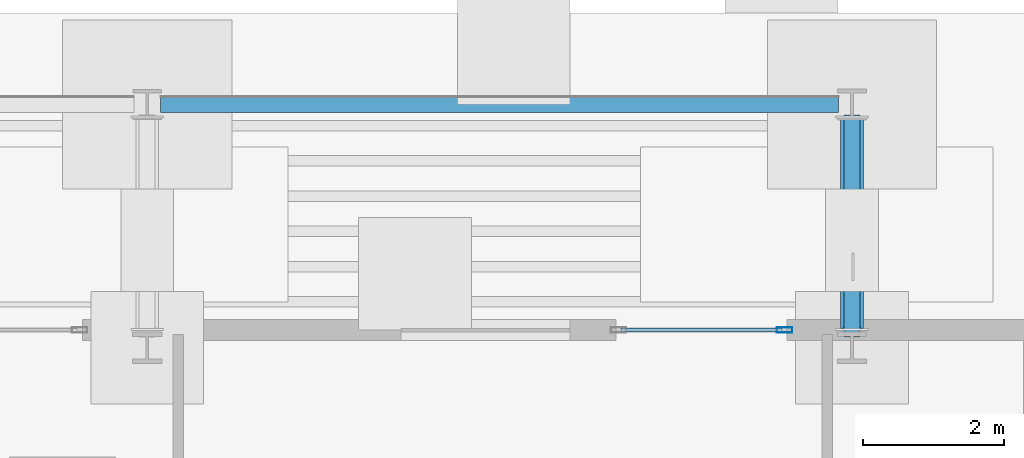
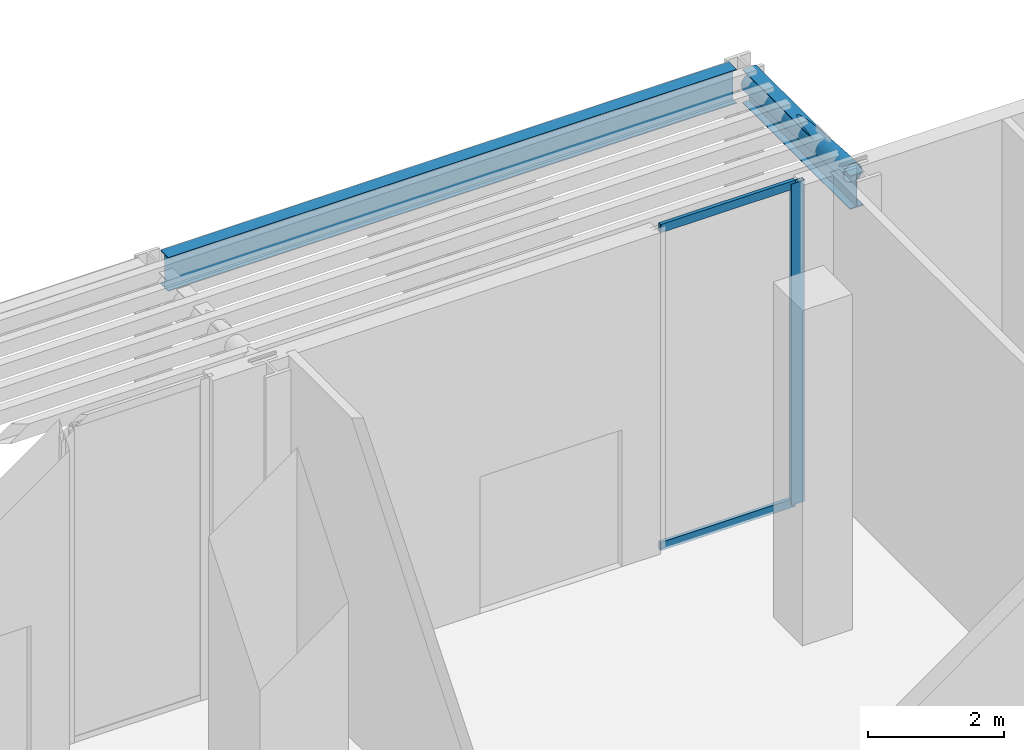
# One storey, part 21 of 39: 4 members, 2 beams, 1 element without a shape of its own.
"""IFC4 building model written with IfcOpenShell, lengths in metres."""

from ifc_helpers import new_model, si_unit, direction, frame, origin, origin_2d, place, context, subcontext, project, spatial, hollow_rectangle, hollow_circle, i_section, extrude, material, layer, layer_set, material_profile, profile_set, type_object, element, aggregate, save


model = new_model("IFC4")

# Units and contexts
model_context = context("Model", 3, precision=1e-05, world=origin(), true_north=direction((0.0, 1.0)))
body_context = subcontext(model_context, "Body", "Model", "MODEL_VIEW")
ifc_project = project(units=[si_unit("LENGTHUNIT", "METRE"), si_unit("AREAUNIT", "SQUARE_METRE"), si_unit("VOLUMEUNIT", "CUBIC_METRE"), si_unit("PLANEANGLEUNIT", "RADIAN"), si_unit("MASSUNIT", "GRAM", prefix="KILO")], contexts=[model_context])

# Site, building, storey
site_placement = place(None, origin())
site = spatial("IfcSite", under=ifc_project, at=site_placement, CompositionType="ELEMENT")
building_placement = place(site_placement, origin())
building = spatial("IfcBuilding", under=site, at=building_placement, Name="Zuhayl Quay Hotel", CompositionType="ELEMENT")
storey_placement = place(building_placement, origin())
storey = spatial("IfcBuildingStorey", under=building, at=storey_placement, Name="L00", CompositionType="ELEMENT", Elevation=0.0)

# Beams
ifc_material_1 = material(Name="Steel ASTM A992 Grade 50", Category="steel")
ifc_material_profile_1 = material_profile(ifc_material_1, i_section(OverallWidth=0.22802734375, OverallDepth=0.60693359375, WebThickness=0.01123046875, FlangeThickness=0.017333984375, at=origin_2d()), Name="W24X76")
ifc_profile_set_1 = profile_set([ifc_material_profile_1], Name="Steel ASTM A992 Grade 50")
beam_type = type_object("IfcBeamType", Name="BM_B3_W24X76", PredefinedType="BEAM", material=ifc_profile_set_1)
beam_1_placement = place(storey_placement, frame((15.18994140625, 28.199951171875, 5.300048828125), z_axis=(1.0, 0.0, 0.0), x_axis=(0.0, 1.0, 0.0)))
element("IfcBeam", 1, at=beam_1_placement, inside=storey, type_object=beam_type, Name="Waterfront Colonnade Canopy Girder 5", PredefinedType="BEAM", context=body_context, shape_type="SweptSolid", body=[
    extrude(i_section(OverallWidth=0.22802734375, OverallDepth=0.60693359375, WebThickness=0.01123046875, FlangeThickness=0.017333984375, at=origin_2d()), origin(), (0.0, 0.0, 1.0), 9.6201171875),
])
beam_2_placement = place(storey_placement, frame((25.0, 24.89990234375, 5.300048828125), z_axis=(0.0, 1.0, 0.0), x_axis=(-1.0, 0.0, 0.0)))
element("IfcBeam", 2, at=beam_2_placement, inside=storey, type_object=beam_type, Name="Waterfront Canopy Cantilever Tie 6", PredefinedType="BEAM", context=body_context, shape_type="SweptSolid", body=[
    extrude(i_section(OverallWidth=0.22802734375, OverallDepth=0.60693359375, WebThickness=0.01123046875, FlangeThickness=0.017333984375, at=origin_2d()), origin(), (0.0, 0.0, 1.0), 3.150146484375),
])

# Member
ifc_material_2 = material(Name="Steel ASTM A500 Grade C", Category="steel")
ifc_material_profile_2 = material_profile(ifc_material_2, hollow_circle(Radius=0.161865234375, WallThickness=0.012451171875, at=origin_2d()), Name="CHS324X12")
ifc_profile_set_2 = profile_set([ifc_material_profile_2], Name="Steel ASTM A500 Grade C")
member_type_1 = type_object("IfcMemberType", Name="MB_CN_CHS324", PredefinedType="STRUT", material=ifc_profile_set_2)
member_1_placement = place(storey_placement, frame((25.0, 25.02001953125, 5.550048828125), z_axis=(0.0, 0.997771438089, -0.066724488266), x_axis=(-1.0, 0.0, 0.0)))
element("IfcMember", 3, at=member_1_placement, inside=storey, type_object=member_type_1, Name="Waterfront Canopy Diagonal Hanger Strut 6", PredefinedType="STRUT", context=body_context, shape_type="SweptSolid", body=[
    extrude(hollow_circle(Radius=0.161865234375, WallThickness=0.012451171875, at=origin_2d()), origin(), (0.0, 0.0, 1.0), 2.99658203125),
])

# Curtain wall, members
ifc_material_3 = material(Name="Anodised Aluminium 6063-T6", Category="aluminium")
ifc_layer = layer(ifc_material_3, 0.199951171875, Name="Anodised Aluminium 6063-T6", Category="aluminium")
ifc_layer_set = layer_set([ifc_layer], Name="Anodised Aluminium 6063-T6")
curtain_wall_type = type_object("IfcCurtainWallType", Name="CW_SYS_POD", PredefinedType="USERDEFINED", material=ifc_layer_set)
curtain_wall_placement = place(storey_placement, origin())
curtain_wall = element("IfcCurtainWall", 4, at=curtain_wall_placement, inside=storey, type_object=curtain_wall_type, Name="L00 Curtain Wall ENV_L00_E05_CW5", ObjectType="UNITISED CURTAIN WALL", PredefinedType="USERDEFINED")
ifc_material_4 = material(Name="Black-anodised aluminium 6063-T6", Category="aluminium")
ifc_material_profile_3 = material_profile(ifc_material_4, hollow_rectangle(XDim=0.074951171875, YDim=0.219970703125, WallThickness=0.00390625, at=origin_2d()), Name="ALU220X75")
ifc_profile_set_3 = profile_set([ifc_material_profile_3], Name="Black-anodised aluminium 6063-T6")
member_type_2 = type_object("IfcMemberType", Name="MB_CW_MUL_220", PredefinedType="MULLION", material=ifc_profile_set_3)
member_2_placement = place(storey_placement, frame((24.04248046875, 25.0, 0.0), z_axis=(0.0, 0.0, 1.0), x_axis=(0.0, 1.0, 0.0)))
member_2 = element("IfcMember", 5, at=member_2_placement, type_object=member_type_2, Name="CW-POD mullion 2", PredefinedType="MULLION", context=body_context, shape_type="SweptSolid", body=[
    extrude(hollow_rectangle(XDim=0.074951171875, YDim=0.219970703125, WallThickness=0.00390625, at=origin_2d()), origin(), (0.0, 0.0, 1.0), 5.75),
])
ifc_material_profile_4 = material_profile(ifc_material_4, hollow_rectangle(XDim=0.06005859375, YDim=0.14990234375, WallThickness=0.00341796875, at=origin_2d()), Name="ALU150X60")
ifc_profile_set_4 = profile_set([ifc_material_profile_4], Name="Black-anodised aluminium 6063-T6")
member_type_3 = type_object("IfcMemberType", Name="MB_CW_TRN_150", PredefinedType="USERDEFINED", material=ifc_profile_set_4)
member_3_placement = place(storey_placement, frame((21.72509765625, 25.0, 0.030029296875), z_axis=(1.0, 0.0, 0.0), x_axis=(0.0, 1.0, 0.0)))
member_3 = element("IfcMember", 6, at=member_3_placement, type_object=member_type_3, Name="CW-POD transom 1.1", ObjectType="TRANSOM", PredefinedType="USERDEFINED", context=body_context, shape_type="SweptSolid", body=[
    extrude(hollow_rectangle(XDim=0.06005859375, YDim=0.14990234375, WallThickness=0.00341796875, at=origin_2d()), origin(), (0.0, 0.0, 1.0), 2.27978515625),
])
member_4_placement = place(storey_placement, frame((21.72509765625, 25.0, 5.719970703125), z_axis=(1.0, 0.0, 0.0), x_axis=(0.0, 1.0, 0.0)))
member_4 = element("IfcMember", 7, at=member_4_placement, type_object=member_type_3, Name="CW-POD transom 1.2", ObjectType="TRANSOM", PredefinedType="USERDEFINED", context=body_context, shape_type="SweptSolid", body=[
    extrude(hollow_rectangle(XDim=0.06005859375, YDim=0.14990234375, WallThickness=0.00341796875, at=origin_2d()), origin(), (0.0, 0.0, 1.0), 2.27978515625),
])
aggregate(curtain_wall, [member_2, member_3, member_4])

save(model, "model.ifc")
